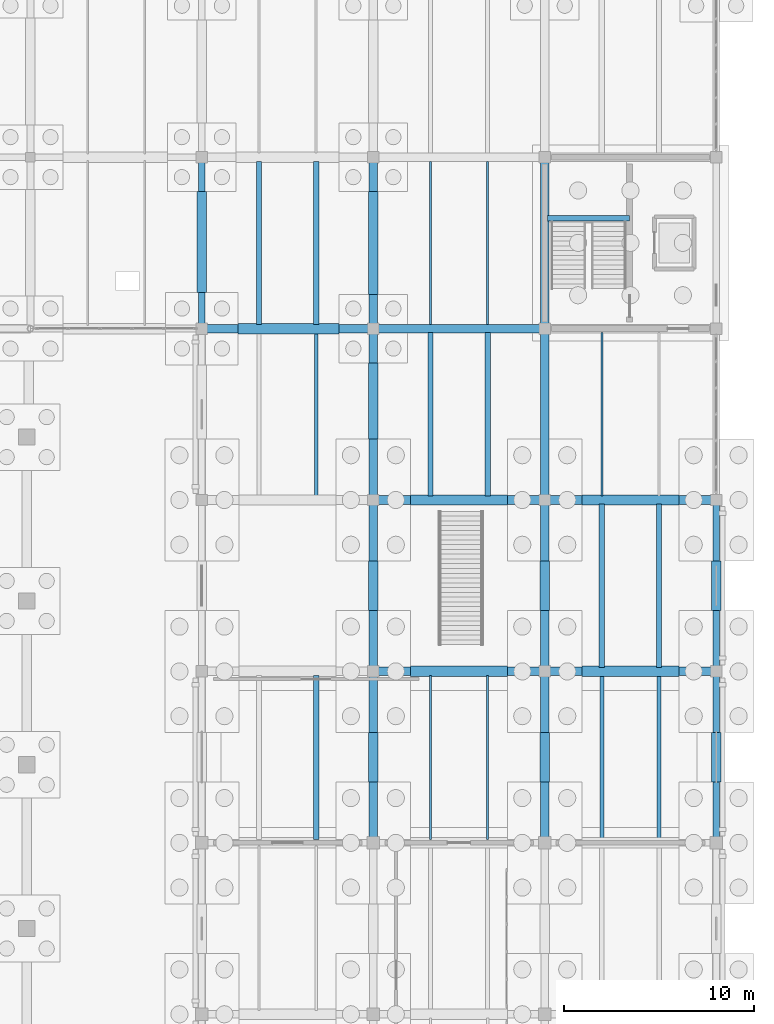
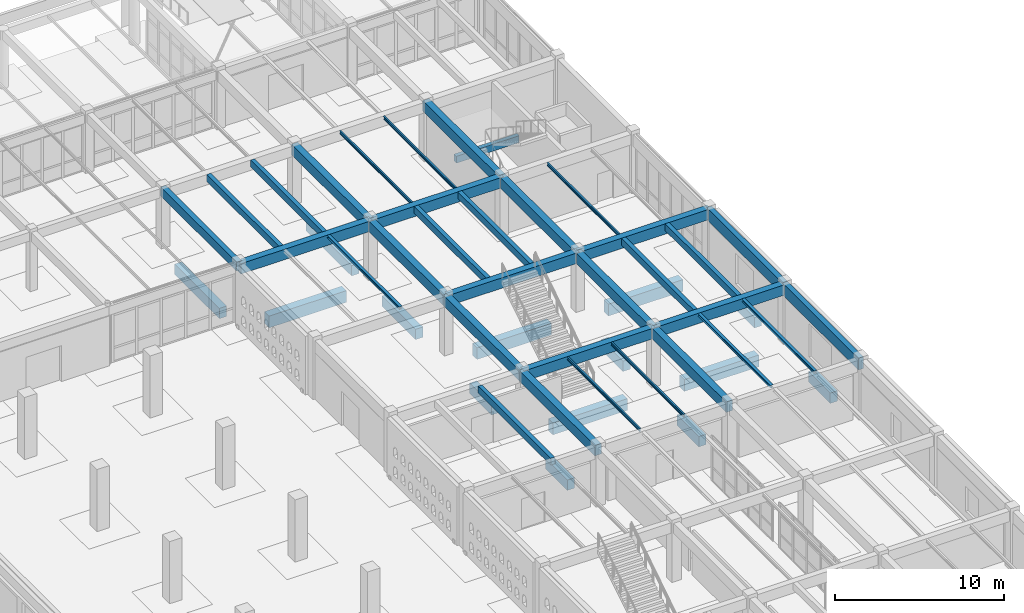
# One storey, part 126 of 186: 47 beams.
"""IFC4 building model written with IfcOpenShell, lengths in metres."""

from ifc_helpers import new_model, si_unit, direction, frame, origin, origin_2d, place, context, subcontext, project, spatial, rectangle, i_section, extrude, material, material_profile, profile_set, type_object, element, save


model = new_model("IFC4")

# Units and contexts
model_context = context("Model", 3, precision=1e-05, world=origin(), true_north=direction((0.0, 1.0)))
body_context = subcontext(model_context, "Body", "Model", "MODEL_VIEW")
ifc_project = project(units=[si_unit("LENGTHUNIT", "METRE"), si_unit("AREAUNIT", "SQUARE_METRE"), si_unit("VOLUMEUNIT", "CUBIC_METRE"), si_unit("PLANEANGLEUNIT", "RADIAN"), si_unit("MASSUNIT", "GRAM", prefix="KILO")], contexts=[model_context])

# Site, building, storey
site_placement = place(None, origin())
site = spatial("IfcSite", under=ifc_project, at=site_placement, CompositionType="ELEMENT")
building_placement = place(site_placement, origin())
building = spatial("IfcBuilding", under=site, at=building_placement, Name="Ornek Quay Market", CompositionType="ELEMENT")
storey_placement = place(building_placement, origin())
storey = spatial("IfcBuildingStorey", under=building, at=storey_placement, Name="L00", CompositionType="ELEMENT", Elevation=0.0)

# Beams
ifc_material_1 = material(Name="Concrete C35/45", Category="concrete")
ifc_material_profile_1 = material_profile(ifc_material_1, rectangle(XDim=0.35009765625, YDim=0.64990234375, at=origin_2d()), Name="RC 350x650", Category="concrete")
ifc_profile_set_1 = profile_set([ifc_material_profile_1], Name="Concrete C35/45")
beam_type_1 = type_object("IfcBeamType", Name="BM-CONC-350x650", PredefinedType="BEAM", material=ifc_profile_set_1)
beam_1_placement = place(storey_placement, frame((153.0, 92.0, 3.945068359375), z_axis=(0.0, 1.0, 0.0), x_axis=(-1.0, 0.0, 0.0)))
element("IfcBeam", 1, at=beam_1_placement, inside=storey, type_object=beam_type_1, Name="Primary beam B-CN1-085", PredefinedType="BEAM", context=body_context, shape_type="SweptSolid", body=[
    extrude(rectangle(XDim=0.35009765625, YDim=0.64990234375, at=origin_2d()), origin(), (0.0, 0.0, 1.0), 9.0),
])
ifc_material_2 = material(Name="Concrete C40/50", Category="concrete")
ifc_material_profile_2 = material_profile(ifc_material_2, rectangle(XDim=0.449951171875, YDim=0.75, at=origin_2d()), Name="RC 450x750", Category="concrete")
ifc_profile_set_2 = profile_set([ifc_material_profile_2], Name="Concrete C40/50")
beam_type_2 = type_object("IfcBeamType", Name="BM-FC-450x750", PredefinedType="BEAM", material=ifc_profile_set_2)
for number, where, z_axis, x_axis, name in (
    (2, (162.0, 74.0, 3.85498046875), (1.0, 0.0, 0.0), (0.0, 1.0, 0.0), "Primary beam B-FC1-016"),
    (3, (171.0, 74.0, 3.85498046875), (1.0, 0.0, 0.0), (0.0, 1.0, 0.0), "Primary beam B-FC1-017"),
    (4, (162.0, 83.0, 3.85498046875), (1.0, 0.0, 0.0), (0.0, 1.0, 0.0), "Primary beam B-FC1-019"),
    (5, (171.0, 83.0, 3.85498046875), (1.0, 0.0, 0.0), (0.0, 1.0, 0.0), "Primary beam B-FC1-020"),
    (6, (153.0, 92.0, 3.85498046875), (1.0, 0.0, 0.0), (0.0, 1.0, 0.0), "Primary beam B-FC1-021"),
    (7, (162.0, 92.0, 3.85498046875), (1.0, 0.0, 0.0), (0.0, 1.0, 0.0), "Primary beam B-FC1-022"),
    (8, (162.0, 65.0, 3.85498046875), (0.0, 1.0, 0.0), (-1.0, 0.0, 0.0), "Primary beam B-FC1-027"),
    (9, (162.0, 74.0, 3.85498046875), (0.0, 1.0, 0.0), (-1.0, 0.0, 0.0), "Primary beam B-FC1-028"),
    (10, (162.0, 83.0, 3.85498046875), (0.0, 1.0, 0.0), (-1.0, 0.0, 0.0), "Primary beam B-FC1-029"),
    (11, (162.0, 92.0, 3.85498046875), (0.0, 1.0, 0.0), (-1.0, 0.0, 0.0), "Primary beam B-FC1-030"),
    (12, (171.0, 65.0, 3.85498046875), (0.0, 1.0, 0.0), (-1.0, 0.0, 0.0), "Primary beam B-FC1-032"),
    (13, (171.0, 74.0, 3.85498046875), (0.0, 1.0, 0.0), (-1.0, 0.0, 0.0), "Primary beam B-FC1-033"),
    (14, (171.0, 83.0, 3.85498046875), (0.0, 1.0, 0.0), (-1.0, 0.0, 0.0), "Primary beam B-FC1-034"),
    (15, (171.0, 92.0, 3.85498046875), (0.0, 1.0, 0.0), (-1.0, 0.0, 0.0), "Primary beam B-FC1-035"),
):
    element("IfcBeam", number, at=place(storey_placement, frame(where, z_axis=z_axis, x_axis=x_axis)), inside=storey, type_object=beam_type_2, Name=name, PredefinedType="BEAM", context=body_context, shape_type="SweptSolid", body=[
        extrude(rectangle(XDim=0.449951171875, YDim=0.75, at=origin_2d()), origin(), (0.0, 0.0, 1.0), 9.0),
    ])
ifc_material_profile_3 = material_profile(ifc_material_1, rectangle(XDim=0.5, YDim=0.75, at=origin_2d()), Name="RC 500x750", Category="concrete")
ifc_profile_set_3 = profile_set([ifc_material_profile_3], Name="Concrete C35/45")
beam_type_3 = type_object("IfcBeamType", Name="BM-GB-500x750", PredefinedType="BEAM", material=ifc_profile_set_3)
beam_2_placement = place(storey_placement, frame((153.0, 93.89990234375, -0.574951171875), z_axis=(0.0, 1.0, 0.0), x_axis=(-1.0, 0.0, 0.0)))
element("IfcBeam", 16, at=beam_2_placement, inside=storey, type_object=beam_type_3, Name="Ground tie beam GB-397", PredefinedType="BEAM", context=body_context, shape_type="SweptSolid", body=[
    extrude(rectangle(XDim=0.5, YDim=0.75, at=origin_2d()), origin(), (0.0, 0.0, 1.0), 5.300048828125),
])
for number, where, z_axis, x_axis, name in (
    (17, (162.0, 68.199951171875, -0.574951171875), (0.0, 1.0, 0.0), (-1.0, 0.0, 0.0), "Ground tie beam GB-406"),
    (18, (162.0, 77.199951171875, -0.574951171875), (0.0, 1.0, 0.0), (-1.0, 0.0, 0.0), "Ground tie beam GB-407"),
):
    element("IfcBeam", number, at=place(storey_placement, frame(where, z_axis=z_axis, x_axis=x_axis)), inside=storey, type_object=beam_type_3, Name=name, PredefinedType="BEAM", context=body_context, shape_type="SweptSolid", body=[
        extrude(rectangle(XDim=0.5, YDim=0.75, at=origin_2d()), origin(), (0.0, 0.0, 1.0), 2.60009765625),
    ])
beam_3_placement = place(storey_placement, frame((162.0, 86.199951171875, -0.574951171875), z_axis=(0.0, 1.0, 0.0), x_axis=(-1.0, 0.0, 0.0)))
element("IfcBeam", 19, at=beam_3_placement, inside=storey, type_object=beam_type_3, Name="Ground tie beam GB-408", PredefinedType="BEAM", context=body_context, shape_type="SweptSolid", body=[
    extrude(rectangle(XDim=0.5, YDim=0.75, at=origin_2d()), origin(), (0.0, 0.0, 1.0), 4.0),
])
beam_4_placement = place(storey_placement, frame((162.0, 93.800048828125, -0.574951171875), z_axis=(0.0, 1.0, 0.0), x_axis=(-1.0, 0.0, 0.0)))
element("IfcBeam", 20, at=beam_4_placement, inside=storey, type_object=beam_type_3, Name="Ground tie beam GB-409", PredefinedType="BEAM", context=body_context, shape_type="SweptSolid", body=[
    extrude(rectangle(XDim=0.5, YDim=0.75, at=origin_2d()), origin(), (0.0, 0.0, 1.0), 5.39990234375),
])
for number, where, z_axis, x_axis, name in (
    (21, (171.0, 68.199951171875, -0.574951171875), (0.0, 1.0, 0.0), (-1.0, 0.0, 0.0), "Ground tie beam GB-416"),
    (22, (171.0, 77.199951171875, -0.574951171875), (0.0, 1.0, 0.0), (-1.0, 0.0, 0.0), "Ground tie beam GB-417"),
    (23, (180.0, 68.199951171875, -0.574951171875), (0.0, 1.0, 0.0), (-1.0, 0.0, 0.0), "Ground tie beam GB-423"),
    (24, (180.0, 77.199951171875, -0.574951171875), (0.0, 1.0, 0.0), (-1.0, 0.0, 0.0), "Ground tie beam GB-424"),
):
    element("IfcBeam", number, at=place(storey_placement, frame(where, z_axis=z_axis, x_axis=x_axis)), inside=storey, type_object=beam_type_3, Name=name, PredefinedType="BEAM", context=body_context, shape_type="SweptSolid", body=[
        extrude(rectangle(XDim=0.5, YDim=0.75, at=origin_2d()), origin(), (0.0, 0.0, 1.0), 2.60009765625),
    ])
ifc_material_profile_4 = material_profile(ifc_material_1, rectangle(XDim=0.550048828125, YDim=0.85009765625, at=origin_2d()), Name="RC 550x850", Category="concrete")
ifc_profile_set_4 = profile_set([ifc_material_profile_4], Name="Concrete C35/45")
beam_type_4 = type_object("IfcBeamType", Name="BM-GB-550x850", PredefinedType="BEAM", material=ifc_profile_set_4)
for number, where, z_axis, x_axis, name in (
    (25, (163.949951171875, 74.0, -0.625), (1.0, 0.0, 0.0), (0.0, 1.0, 0.0), "Ground tie beam GB-335"),
    (26, (172.949951171875, 74.0, -0.625), (1.0, 0.0, 0.0), (0.0, 1.0, 0.0), "Ground tie beam GB-336"),
    (27, (163.949951171875, 83.0, -0.625), (1.0, 0.0, 0.0), (0.0, 1.0, 0.0), "Ground tie beam GB-339"),
    (28, (172.949951171875, 83.0, -0.625), (1.0, 0.0, 0.0), (0.0, 1.0, 0.0), "Ground tie beam GB-340"),
):
    element("IfcBeam", number, at=place(storey_placement, frame(where, z_axis=z_axis, x_axis=x_axis)), inside=storey, type_object=beam_type_4, Name=name, PredefinedType="BEAM", context=body_context, shape_type="SweptSolid", body=[
        extrude(rectangle(XDim=0.550048828125, YDim=0.85009765625, at=origin_2d()), origin(), (0.0, 0.0, 1.0), 5.10009765625),
    ])
beam_5_placement = place(storey_placement, frame((154.89990234375, 92.0, -0.625), z_axis=(1.0, 0.0, 0.0), x_axis=(0.0, 1.0, 0.0)))
element("IfcBeam", 29, at=beam_5_placement, inside=storey, type_object=beam_type_4, Name="Ground tie beam GB-345", PredefinedType="BEAM", context=body_context, shape_type="SweptSolid", body=[
    extrude(rectangle(XDim=0.550048828125, YDim=0.85009765625, at=origin_2d()), origin(), (0.0, 0.0, 1.0), 5.300048828125),
])
ifc_material_profile_5 = material_profile(ifc_material_1, rectangle(XDim=0.280029296875, YDim=0.5, at=origin_2d()), Name="RC 280x500", Category="concrete")
ifc_profile_set_5 = profile_set([ifc_material_profile_5], Name="Concrete C35/45")
beam_type_5 = type_object("IfcBeamType", Name="BM-SEC-280x500", PredefinedType="JOIST", material=ifc_profile_set_5)
beam_6_placement = place(storey_placement, frame((159.0, 65.1669921875, 3.97998046875), z_axis=(0.0, 1.0, 0.0), x_axis=(-1.0, 0.0, 0.0)))
element("IfcBeam", 30, at=beam_6_placement, inside=storey, type_object=beam_type_5, Name="Secondary joist B-SC2-062", PredefinedType="JOIST", context=body_context, shape_type="SweptSolid", body=[
    extrude(rectangle(XDim=0.280029296875, YDim=0.5, at=origin_2d()), origin(), (0.0, 0.0, 1.0), 8.615966796875),
])
for number, where, z_axis, x_axis, name in (
    (31, (156.0, 92.217041015625, 3.97998046875), (0.0, 1.0, 0.0), (-1.0, 0.0, 0.0), "Secondary joist B-SC2-063"),
    (32, (159.0, 92.217041015625, 3.97998046875), (0.0, 1.0, 0.0), (-1.0, 0.0, 0.0), "Secondary joist B-SC2-064"),
    (33, (165.0, 83.217041015625, 3.97998046875), (0.0, 1.0, 0.0), (-1.0, 0.0, 0.0), "Secondary joist B-SC2-065"),
    (34, (168.0, 83.217041015625, 3.97998046875), (0.0, 1.0, 0.0), (-1.0, 0.0, 0.0), "Secondary joist B-SC2-066"),
    (35, (174.0, 74.217041015625, 3.97998046875), (0.0, 1.0, 0.0), (-1.0, 0.0, 0.0), "Secondary joist B-SC2-067"),
    (36, (177.0, 74.217041015625, 3.97998046875), (0.0, 1.0, 0.0), (-1.0, 0.0, 0.0), "Secondary joist B-SC2-068"),
):
    element("IfcBeam", number, at=place(storey_placement, frame(where, z_axis=z_axis, x_axis=x_axis)), inside=storey, type_object=beam_type_5, Name=name, PredefinedType="JOIST", context=body_context, shape_type="SweptSolid", body=[
        extrude(rectangle(XDim=0.280029296875, YDim=0.5, at=origin_2d()), origin(), (0.0, 0.0, 1.0), 8.56591796875),
    ])
beam_7_placement = place(storey_placement, frame((171.14990234375, 97.7919921875, 1.8349609375), z_axis=(1.0, 0.0, 0.0), x_axis=(0.0, 1.0, 0.0)))
element("IfcBeam", 37, at=beam_7_placement, inside=storey, type_object=beam_type_5, Name="Stair landing beam BL-10", PredefinedType="JOIST", context=body_context, shape_type="SweptSolid", body=[
    extrude(rectangle(XDim=0.280029296875, YDim=0.5, at=origin_2d()), origin(), (0.0, 0.0, 1.0), 4.300048828125),
])
ifc_material_profile_6 = material_profile(ifc_material_2, rectangle(XDim=0.35009765625, YDim=0.85009765625, at=origin_2d()), Name="RC 350x850", Category="concrete")
ifc_profile_set_6 = profile_set([ifc_material_profile_6], Name="Concrete C40/50")
beam_type_6 = type_object("IfcBeamType", Name="BM-SPN-350x850", PredefinedType="SPANDREL", material=ifc_profile_set_6)
for number, where, z_axis, x_axis, name in (
    (38, (180.0, 65.0, 3.804931640625), (0.0, 1.0, 0.0), (-1.0, 0.0, 0.0), "Primary beam B-SP1-096"),
    (39, (180.0, 74.0, 3.804931640625), (0.0, 1.0, 0.0), (-1.0, 0.0, 0.0), "Primary beam B-SP1-097"),
):
    element("IfcBeam", number, at=place(storey_placement, frame(where, z_axis=z_axis, x_axis=x_axis)), inside=storey, type_object=beam_type_6, Name=name, PredefinedType="SPANDREL", context=body_context, shape_type="SweptSolid", body=[
        extrude(rectangle(XDim=0.35009765625, YDim=0.85009765625, at=origin_2d()), origin(), (0.0, 0.0, 1.0), 9.0),
    ])
ifc_material_3 = material(Name="Steel S355", Category="steel")
ifc_material_profile_7 = material_profile(ifc_material_3, i_section(OverallWidth=0.199951171875, OverallDepth=0.18994140625, WebThickness=0.006591796875, FlangeThickness=0.010009765625, FilletRadius=0.01806640625, at=origin_2d()), Name="HEA 200", Category="steel")
ifc_profile_set_7 = profile_set([ifc_material_profile_7], Name="Steel S355")
beam_type_7 = type_object("IfcBeamType", Name="BM-STL-HEA200", PredefinedType="BEAM", material=ifc_profile_set_7)
beam_8_placement = place(storey_placement, frame((159.0, 83.217041015625, 4.135009765625), z_axis=(0.0, 1.0, 0.0), x_axis=(-1.0, 0.0, 0.0)))
element("IfcBeam", 40, at=beam_8_placement, inside=storey, type_object=beam_type_7, Name="Secondary joist SB-12-016", PredefinedType="BEAM", context=body_context, shape_type="SweptSolid", body=[
    extrude(i_section(OverallWidth=0.199951171875, OverallDepth=0.18994140625, WebThickness=0.006591796875, FlangeThickness=0.010009765625, FilletRadius=0.01806640625, at=origin_2d()), origin(), (0.0, 0.0, 1.0), 8.56591796875),
])
for number, where, z_axis, x_axis, name in (
    (41, (174.0, 65.1669921875, 4.135009765625), (0.0, 1.0, 0.0), (-1.0, 0.0, 0.0), "Secondary joist SB-12-019"),
    (42, (177.0, 65.1669921875, 4.135009765625), (0.0, 1.0, 0.0), (-1.0, 0.0, 0.0), "Secondary joist SB-12-020"),
):
    element("IfcBeam", number, at=place(storey_placement, frame(where, z_axis=z_axis, x_axis=x_axis)), inside=storey, type_object=beam_type_7, Name=name, PredefinedType="BEAM", context=body_context, shape_type="SweptSolid", body=[
        extrude(i_section(OverallWidth=0.199951171875, OverallDepth=0.18994140625, WebThickness=0.006591796875, FlangeThickness=0.010009765625, FilletRadius=0.01806640625, at=origin_2d()), origin(), (0.0, 0.0, 1.0), 8.615966796875),
    ])
ifc_material_profile_8 = material_profile(ifc_material_3, i_section(OverallWidth=0.110107421875, OverallDepth=0.219970703125, WebThickness=0.005859375, FlangeThickness=0.00927734375, FilletRadius=0.011962890625, at=origin_2d()), Name="IPE 220", Category="steel")
ifc_profile_set_8 = profile_set([ifc_material_profile_8], Name="Steel S355")
beam_type_8 = type_object("IfcBeamType", Name="BM-STL-IPE220", PredefinedType="JOIST", material=ifc_profile_set_8)
for number, where, z_axis, x_axis, name in (
    (43, (165.0, 65.1669921875, 4.1201171875), (0.0, 1.0, 0.0), (-1.0, 0.0, 0.0), "Secondary joist SB-03-024"),
    (44, (168.0, 65.1669921875, 4.1201171875), (0.0, 1.0, 0.0), (-1.0, 0.0, 0.0), "Secondary joist SB-03-025"),
):
    element("IfcBeam", number, at=place(storey_placement, frame(where, z_axis=z_axis, x_axis=x_axis)), inside=storey, type_object=beam_type_8, Name=name, PredefinedType="JOIST", context=body_context, shape_type="SweptSolid", body=[
        extrude(i_section(OverallWidth=0.110107421875, OverallDepth=0.219970703125, WebThickness=0.005859375, FlangeThickness=0.00927734375, FilletRadius=0.011962890625, at=origin_2d()), origin(), (0.0, 0.0, 1.0), 8.615966796875),
    ])
for number, where, z_axis, x_axis, name in (
    (45, (165.0, 92.217041015625, 4.1201171875), (0.0, 1.0, 0.0), (-1.0, 0.0, 0.0), "Secondary joist SB-03-026"),
    (46, (168.0, 92.217041015625, 4.1201171875), (0.0, 1.0, 0.0), (-1.0, 0.0, 0.0), "Secondary joist SB-03-027"),
    (47, (174.0, 83.217041015625, 4.1201171875), (0.0, 1.0, 0.0), (-1.0, 0.0, 0.0), "Secondary joist SB-03-028"),
):
    element("IfcBeam", number, at=place(storey_placement, frame(where, z_axis=z_axis, x_axis=x_axis)), inside=storey, type_object=beam_type_8, Name=name, PredefinedType="JOIST", context=body_context, shape_type="SweptSolid", body=[
        extrude(i_section(OverallWidth=0.110107421875, OverallDepth=0.219970703125, WebThickness=0.005859375, FlangeThickness=0.00927734375, FilletRadius=0.011962890625, at=origin_2d()), origin(), (0.0, 0.0, 1.0), 8.56591796875),
    ])

save(model, "model.ifc")
